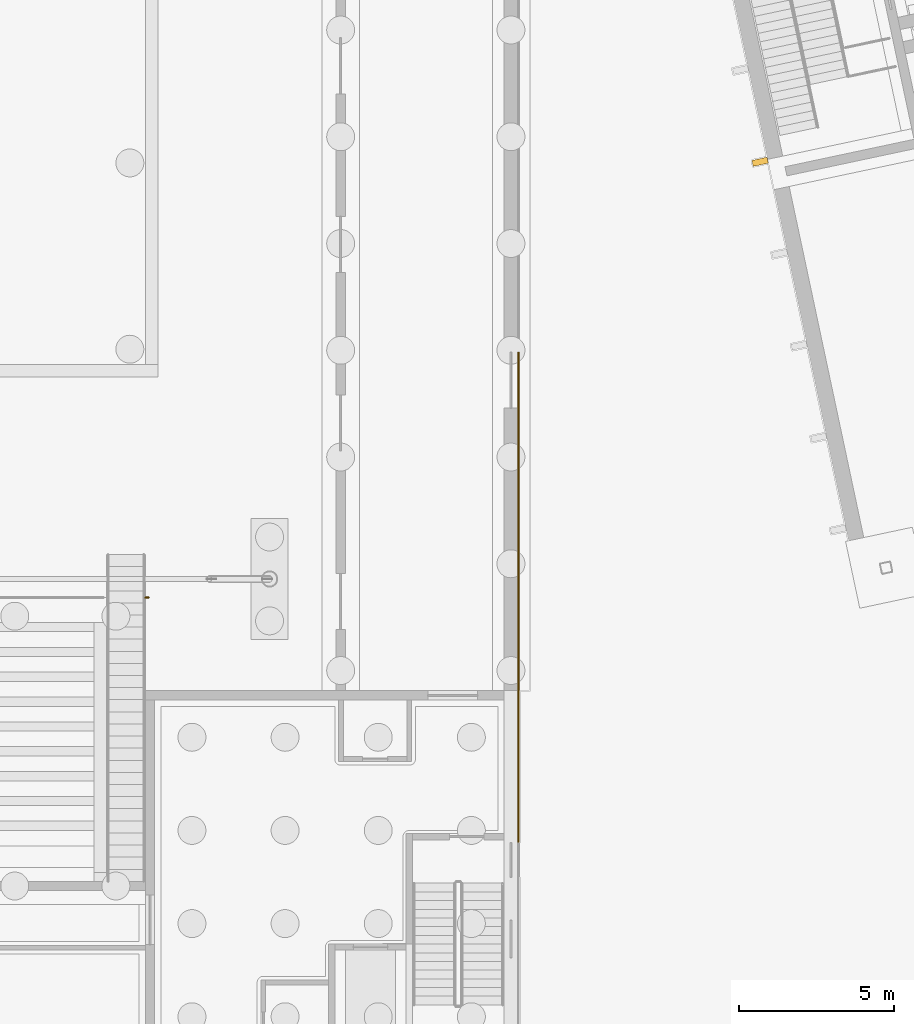
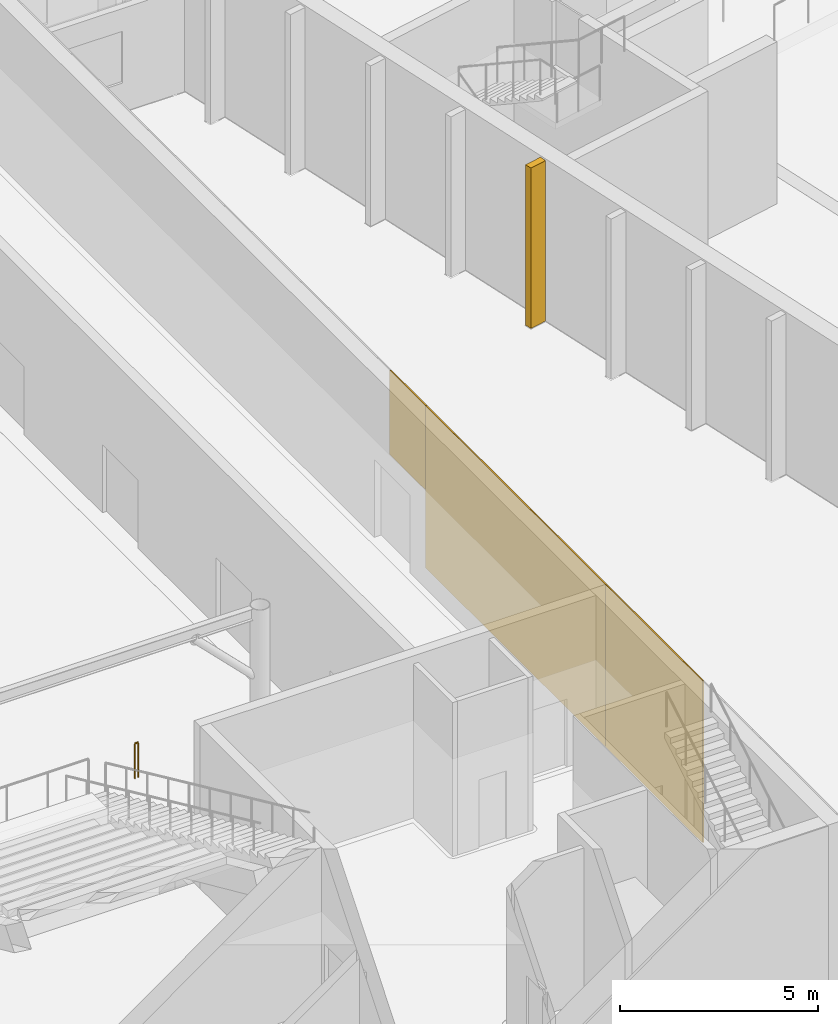
# One storey, part 144 of 157: 3 coverings, 1 railing, 1 shading device.
"""IFC4 building model written with IfcOpenShell, lengths in metres."""

from ifc_helpers import new_model, si_unit, direction, frame, origin, origin_2d, place, context, subcontext, project, spatial, polyline, circle, outline, extrude, material, layer, layer_set, type_object, element, save


model = new_model("IFC4")

# Units and contexts
model_context = context("Model", 3, precision=1e-05, world=origin(), true_north=direction((0.0, 1.0)))
body_context = subcontext(model_context, "Body", "Model", "MODEL_VIEW")
ifc_project = project(units=[si_unit("LENGTHUNIT", "METRE"), si_unit("AREAUNIT", "SQUARE_METRE"), si_unit("VOLUMEUNIT", "CUBIC_METRE"), si_unit("PLANEANGLEUNIT", "RADIAN"), si_unit("MASSUNIT", "GRAM", prefix="KILO")], contexts=[model_context])

# Site, building, storey
site_placement = place(None, origin())
site = spatial("IfcSite", under=ifc_project, at=site_placement, CompositionType="ELEMENT")
building_placement = place(site_placement, origin())
building = spatial("IfcBuilding", under=site, at=building_placement, Name="Windward Yard Aquatics Centre", CompositionType="ELEMENT")
storey_placement = place(building_placement, origin())
storey = spatial("IfcBuildingStorey", under=building, at=storey_placement, Name="L00", CompositionType="ELEMENT", Elevation=0.0)

# Shading device
ifc_material_1 = material(Name="Aluminium fin, powder coated", Category="aluminium")
shading_device_type = type_object("IfcShadingDeviceType", Name="D vertical fin 200x500", PredefinedType="USERDEFINED", material=ifc_material_1)
shading_device_placement = place(storey_placement, origin())
element("IfcShadingDevice", 1, at=shading_device_placement, inside=storey, type_object=shading_device_type, Name="Vertical fin D.W.W.L00.1.5", ObjectType="FIN", PredefinedType="USERDEFINED", context=body_context, shape_type="SweptSolid", body=[
    extrude(outline(polyline([(159.53466796875, 55.08251953125), (159.576416015625, 54.88671875), (160.0654296875, 54.99072265625), (160.023681640625, 55.186279296875), (159.53466796875, 55.08251953125)])), origin(), (0.0, 0.0, 1.0), 4.949951171875),
])

# Railing
ifc_material_2 = material(Name="Stainless steel 1.4529", Category="steel")
railing_type = type_object("IfcRailingType", Name="H Guard Steel 1100", PredefinedType="GUARDRAIL", material=ifc_material_2)
railing_placement = place(storey_placement, frame((140.10009765625, 41.0, 1.39990234375)))
element("IfcRailing", 2, at=railing_placement, inside=storey, type_object=railing_type, Name="Stand front barrier S8", PredefinedType="GUARDRAIL", context=body_context, shape_type="SweptSolid", body=[
    extrude(circle(Radius=0.02392578125, at=origin_2d()), frame((0.0, 0.0, 1.076171875), z_axis=(-1.0, 0.0, 0.0), x_axis=(0.0, -1.0, 0.0)), (0.0, 0.0, 1.0), 0.10009765625),
    extrude(circle(Radius=0.02099609375, at=origin_2d()), origin(), (0.0, 0.0, 1.0), 1.052001953125),
    extrude(circle(Radius=0.02099609375, at=origin_2d()), frame((-0.10009765625, 0.0, 0.0)), (0.0, 0.0, 1.0), 1.052001953125),
])

# Coverings
ifc_material_3 = material(Name="Natural limestone cladding", Category="masonry")
ifc_layer = layer(ifc_material_3, 0.0400390625)
ifc_layer_set = layer_set([ifc_layer], Name="H natural stone cladding 40")
covering_type = type_object("IfcCoveringType", Name="H natural stone cladding 40", PredefinedType="CLADDING", material=ifc_layer_set)
covering_1_placement = place(storey_placement, origin())
element("IfcCovering", 3, at=covering_1_placement, inside=storey, type_object=covering_type, Name="Stone cladding panel 89", PredefinedType="CLADDING", context=body_context, shape_type="SweptSolid", body=[
    extrude(outline(polyline([(152.0, 33.10009765625), (152.0, 38.0), (152.0400390625, 38.0), (152.0400390625, 33.10009765625), (152.0, 33.10009765625)])), origin(), (0.0, 0.0, 1.0), 5.0),
])
covering_2_placement = place(storey_placement, origin())
element("IfcCovering", 4, at=covering_2_placement, inside=storey, type_object=covering_type, Name="Stone cladding panel 161", PredefinedType="CLADDING", context=body_context, shape_type="SweptSolid", body=[
    extrude(outline(polyline([(152.0, 38.0), (152.0, 47.10009765625), (152.0400390625, 47.10009765625), (152.0400390625, 38.0), (152.0, 38.0)])), origin(), (0.0, 0.0, 1.0), 5.0),
])
covering_3_placement = place(storey_placement, frame((0.0, 0.0, 2.39990234375)))
element("IfcCovering", 5, at=covering_3_placement, inside=storey, type_object=covering_type, Name="Stone cladding panel 162", PredefinedType="CLADDING", context=body_context, shape_type="SweptSolid", body=[
    extrude(outline(polyline([(152.0, 47.10009765625), (152.0, 48.89990234375), (152.0400390625, 48.89990234375), (152.0400390625, 47.10009765625), (152.0, 47.10009765625)])), origin(), (0.0, 0.0, 1.0), 2.60009765625),
])

save(model, "model.ifc")
